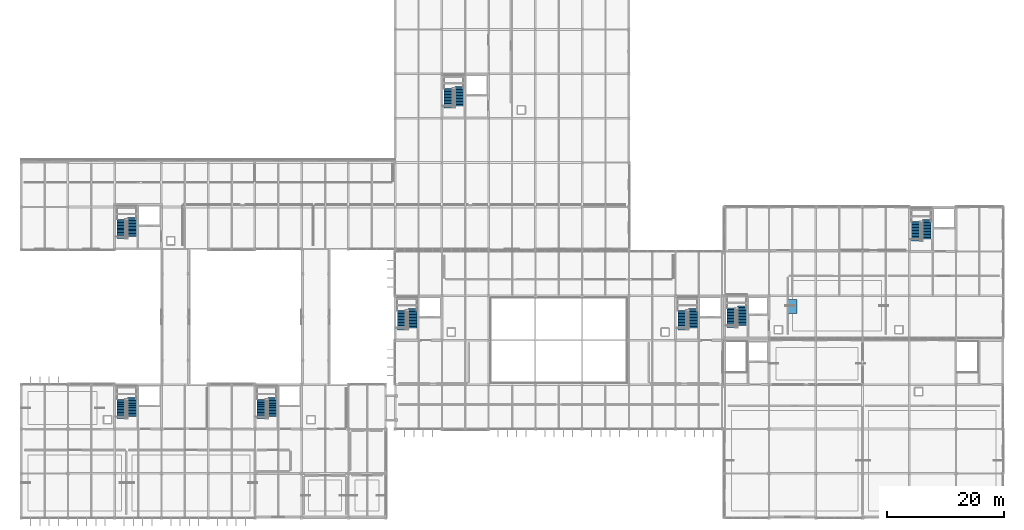
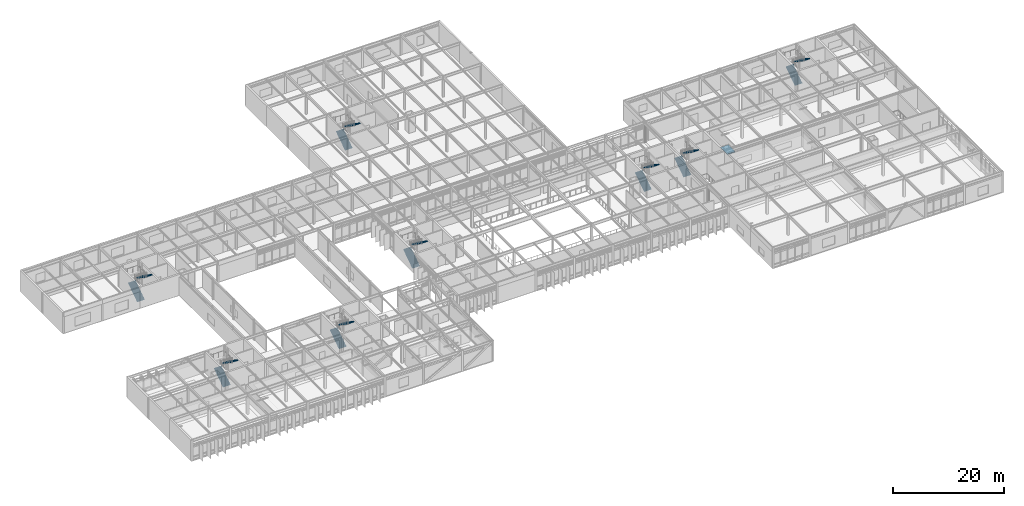
# One storey, part 90 of 104: 16 stair flights, 1 ramp flight, 9 elements without a shape of their own.
"""IFC4 building model written with IfcOpenShell, lengths in metres."""

from ifc_helpers import new_model, si_unit, direction, frame, origin, place, context, subcontext, project, spatial, polyline, outline, extrude, material, layer, layer_set, type_object, element, aggregate, save


model = new_model("IFC4")

# Units and contexts
model_context = context("Model", 3, precision=1e-05, world=origin(), true_north=direction((0.0, 1.0)))
body_context = subcontext(model_context, "Body", "Model", "MODEL_VIEW")
ifc_project = project(units=[si_unit("LENGTHUNIT", "METRE"), si_unit("AREAUNIT", "SQUARE_METRE"), si_unit("VOLUMEUNIT", "CUBIC_METRE"), si_unit("PLANEANGLEUNIT", "RADIAN"), si_unit("MASSUNIT", "GRAM", prefix="KILO")], contexts=[model_context])

# Site, building, storey
site_placement = place(None, origin())
site = spatial("IfcSite", under=ifc_project, at=site_placement, CompositionType="ELEMENT")
building_placement = place(site_placement, origin())
building = spatial("IfcBuilding", under=site, at=building_placement, Name="Zulena Civic Courthouse", CompositionType="ELEMENT")
storey_placement = place(building_placement, frame((0.0, 0.0, 15.60009765625)))
storey = spatial("IfcBuildingStorey", under=building, at=storey_placement, Name="L03", CompositionType="ELEMENT", Elevation=15.60009765625)

# Stair, stair flights
ifc_material_1 = material(Name="Precast concrete C40/50", Category="concrete")
stair_type = type_object("IfcStairType", Name="HalfTurnStair_4800", PredefinedType="HALF_TURN_STAIR", material=ifc_material_1)
stair_1_placement = place(storey_placement, origin())
stair_1 = element("IfcStair", 1, at=stair_1_placement, inside=storey, type_object=stair_type, Name="stair:K2A:L03", PredefinedType="HALF_TURN_STAIR")
stair_flight_type = type_object("IfcStairFlightType", Name="StairFlight_4800", PredefinedType="STRAIGHT", material=ifc_material_1)
stair_flight_1_placement = place(storey_placement, frame((21.1298828125, 16.97998046875, 0.0), z_axis=(0.0, 0.0, 1.0), x_axis=(0.0, 1.0, 0.0)))
stair_flight_1 = element("IfcStairFlight", 2, at=stair_flight_1_placement, type_object=stair_flight_type, Name="stair:K2A:L03:F1", NumberOfRisers=14, NumberOfTreads=13, PredefinedType="STRAIGHT", RiserHeight=0.17143, TreadLength=0.255, context=body_context, shape_type="SweptSolid", body=[
    extrude(outline(polyline([(0.0, 0.0), (0.0, 0.17138671875), (0.2548828125, 0.17138671875), (0.2548828125, 0.3427734375), (0.510009765625, 0.3427734375), (0.510009765625, 0.514404296875), (0.764892578125, 0.514404296875), (0.764892578125, 0.685791015625), (1.02001953125, 0.685791015625), (1.02001953125, 0.857177734375), (1.27490234375, 0.857177734375), (1.27490234375, 1.028564453125), (1.530029296875, 1.028564453125), (1.530029296875, 1.199951171875), (1.784912109375, 1.199951171875), (1.784912109375, 1.371337890625), (2.0400390625, 1.371337890625), (2.0400390625, 1.54296875), (2.294921875, 1.54296875), (2.294921875, 1.71435546875), (2.550048828125, 1.71435546875), (2.550048828125, 1.8857421875), (2.804931640625, 1.8857421875), (2.804931640625, 2.05712890625), (3.06005859375, 2.05712890625), (3.06005859375, 2.228515625), (3.31494140625, 2.228515625), (3.31494140625, 2.39990234375), (3.31494140625, 2.10205078125), (0.188232421875, 0.0), (0.0, 0.0)])), frame((0.0, 0.75, 0.0), z_axis=(0.0, -1.0, 0.0), x_axis=(1.0, 0.0, 0.0)), (0.0, 0.0, 1.0), 1.5),
])
stair_flight_2_placement = place(storey_placement, frame((22.969970703125, 20.634765625, 2.39990234375), z_axis=(0.0, 0.0, 1.0), x_axis=(0.0, -1.0, 0.0)))
stair_flight_2 = element("IfcStairFlight", 3, at=stair_flight_2_placement, type_object=stair_flight_type, Name="stair:K2A:L03:F2", NumberOfRisers=14, NumberOfTreads=13, PredefinedType="STRAIGHT", RiserHeight=0.17143, TreadLength=0.255, context=body_context, shape_type="SweptSolid", body=[
    extrude(outline(polyline([(0.0, 0.0), (0.0, 0.17138671875), (0.2548828125, 0.17138671875), (0.2548828125, 0.3427734375), (0.510009765625, 0.3427734375), (0.510009765625, 0.514404296875), (0.764892578125, 0.514404296875), (0.764892578125, 0.685791015625), (1.02001953125, 0.685791015625), (1.02001953125, 0.857177734375), (1.27490234375, 0.857177734375), (1.27490234375, 1.028564453125), (1.530029296875, 1.028564453125), (1.530029296875, 1.199951171875), (1.784912109375, 1.199951171875), (1.784912109375, 1.371337890625), (2.0400390625, 1.371337890625), (2.0400390625, 1.54296875), (2.294921875, 1.54296875), (2.294921875, 1.71435546875), (2.550048828125, 1.71435546875), (2.550048828125, 1.8857421875), (2.804931640625, 1.8857421875), (2.804931640625, 2.05712890625), (3.06005859375, 2.05712890625), (3.06005859375, 2.228515625), (3.31494140625, 2.228515625), (3.31494140625, 2.39990234375), (3.31494140625, 2.10205078125), (0.188232421875, 0.0), (0.0, 0.0)])), frame((0.0, 0.75, 0.0), z_axis=(0.0, -1.0, 0.0), x_axis=(1.0, 0.0, 0.0)), (0.0, 0.0, 1.0), 1.5),
])
aggregate(stair_1, [stair_flight_1, stair_flight_2])

stair_2_placement = place(storey_placement, origin())
stair_2 = element("IfcStair", 4, at=stair_2_placement, inside=storey, type_object=stair_type, Name="stair:K2B:L03", PredefinedType="HALF_TURN_STAIR")
stair_flight_3_placement = place(storey_placement, frame((45.1298828125, 16.97998046875, 0.0), z_axis=(0.0, 0.0, 1.0), x_axis=(0.0, 1.0, 0.0)))
stair_flight_3 = element("IfcStairFlight", 5, at=stair_flight_3_placement, type_object=stair_flight_type, Name="stair:K2B:L03:F1", NumberOfRisers=14, NumberOfTreads=13, PredefinedType="STRAIGHT", RiserHeight=0.17143, TreadLength=0.255, context=body_context, shape_type="SweptSolid", body=[
    extrude(outline(polyline([(0.0, 0.0), (0.0, 0.17138671875), (0.2548828125, 0.17138671875), (0.2548828125, 0.3427734375), (0.510009765625, 0.3427734375), (0.510009765625, 0.514404296875), (0.764892578125, 0.514404296875), (0.764892578125, 0.685791015625), (1.02001953125, 0.685791015625), (1.02001953125, 0.857177734375), (1.27490234375, 0.857177734375), (1.27490234375, 1.028564453125), (1.530029296875, 1.028564453125), (1.530029296875, 1.199951171875), (1.784912109375, 1.199951171875), (1.784912109375, 1.371337890625), (2.0400390625, 1.371337890625), (2.0400390625, 1.54296875), (2.294921875, 1.54296875), (2.294921875, 1.71435546875), (2.550048828125, 1.71435546875), (2.550048828125, 1.8857421875), (2.804931640625, 1.8857421875), (2.804931640625, 2.05712890625), (3.06005859375, 2.05712890625), (3.06005859375, 2.228515625), (3.31494140625, 2.228515625), (3.31494140625, 2.39990234375), (3.31494140625, 2.10205078125), (0.188232421875, 0.0), (0.0, 0.0)])), frame((0.0, 0.75, 0.0), z_axis=(0.0, -1.0, 0.0), x_axis=(1.0, 0.0, 0.0)), (0.0, 0.0, 1.0), 1.5),
])
stair_flight_4_placement = place(storey_placement, frame((46.969970703125, 20.634765625, 2.39990234375), z_axis=(0.0, 0.0, 1.0), x_axis=(0.0, -1.0, 0.0)))
stair_flight_4 = element("IfcStairFlight", 6, at=stair_flight_4_placement, type_object=stair_flight_type, Name="stair:K2B:L03:F2", NumberOfRisers=14, NumberOfTreads=13, PredefinedType="STRAIGHT", RiserHeight=0.17143, TreadLength=0.255, context=body_context, shape_type="SweptSolid", body=[
    extrude(outline(polyline([(0.0, 0.0), (0.0, 0.17138671875), (0.2548828125, 0.17138671875), (0.2548828125, 0.3427734375), (0.510009765625, 0.3427734375), (0.510009765625, 0.514404296875), (0.764892578125, 0.514404296875), (0.764892578125, 0.685791015625), (1.02001953125, 0.685791015625), (1.02001953125, 0.857177734375), (1.27490234375, 0.857177734375), (1.27490234375, 1.028564453125), (1.530029296875, 1.028564453125), (1.530029296875, 1.199951171875), (1.784912109375, 1.199951171875), (1.784912109375, 1.371337890625), (2.0400390625, 1.371337890625), (2.0400390625, 1.54296875), (2.294921875, 1.54296875), (2.294921875, 1.71435546875), (2.550048828125, 1.71435546875), (2.550048828125, 1.8857421875), (2.804931640625, 1.8857421875), (2.804931640625, 2.05712890625), (3.06005859375, 2.05712890625), (3.06005859375, 2.228515625), (3.31494140625, 2.228515625), (3.31494140625, 2.39990234375), (3.31494140625, 2.10205078125), (0.188232421875, 0.0), (0.0, 0.0)])), frame((0.0, 0.75, 0.0), z_axis=(0.0, -1.0, 0.0), x_axis=(1.0, 0.0, 0.0)), (0.0, 0.0, 1.0), 1.5),
])
aggregate(stair_2, [stair_flight_3, stair_flight_4])

stair_3_placement = place(storey_placement, origin())
stair_3 = element("IfcStair", 7, at=stair_3_placement, inside=storey, type_object=stair_type, Name="stair:K3A:L03", PredefinedType="HALF_TURN_STAIR")
stair_flight_5_placement = place(storey_placement, frame((125.530029296875, 32.580078125, 0.0), z_axis=(0.0, 0.0, 1.0), x_axis=(0.0, 1.0, 0.0)))
stair_flight_5 = element("IfcStairFlight", 8, at=stair_flight_5_placement, type_object=stair_flight_type, Name="stair:K3A:L03:F1", NumberOfRisers=14, NumberOfTreads=13, PredefinedType="STRAIGHT", RiserHeight=0.17143, TreadLength=0.255, context=body_context, shape_type="SweptSolid", body=[
    extrude(outline(polyline([(0.0, 0.0), (0.0, 0.17138671875), (0.2548828125, 0.17138671875), (0.2548828125, 0.3427734375), (0.510009765625, 0.3427734375), (0.510009765625, 0.514404296875), (0.764892578125, 0.514404296875), (0.764892578125, 0.685791015625), (1.02001953125, 0.685791015625), (1.02001953125, 0.857177734375), (1.27490234375, 0.857177734375), (1.27490234375, 1.028564453125), (1.530029296875, 1.028564453125), (1.530029296875, 1.199951171875), (1.784912109375, 1.199951171875), (1.784912109375, 1.371337890625), (2.0400390625, 1.371337890625), (2.0400390625, 1.54296875), (2.294921875, 1.54296875), (2.294921875, 1.71435546875), (2.550048828125, 1.71435546875), (2.550048828125, 1.8857421875), (2.804931640625, 1.8857421875), (2.804931640625, 2.05712890625), (3.06005859375, 2.05712890625), (3.06005859375, 2.228515625), (3.31494140625, 2.228515625), (3.31494140625, 2.39990234375), (3.31494140625, 2.10205078125), (0.188232421875, 0.0), (0.0, 0.0)])), frame((0.0, 0.75, 0.0), z_axis=(0.0, -1.0, 0.0), x_axis=(1.0, 0.0, 0.0)), (0.0, 0.0, 1.0), 1.5),
])
stair_flight_6_placement = place(storey_placement, frame((127.3701171875, 36.234619140625, 2.39990234375), z_axis=(0.0, 0.0, 1.0), x_axis=(0.0, -1.0, 0.0)))
stair_flight_6 = element("IfcStairFlight", 9, at=stair_flight_6_placement, type_object=stair_flight_type, Name="stair:K3A:L03:F2", NumberOfRisers=14, NumberOfTreads=13, PredefinedType="STRAIGHT", RiserHeight=0.17143, TreadLength=0.255, context=body_context, shape_type="SweptSolid", body=[
    extrude(outline(polyline([(0.0, 0.0), (0.0, 0.17138671875), (0.2548828125, 0.17138671875), (0.2548828125, 0.3427734375), (0.510009765625, 0.3427734375), (0.510009765625, 0.514404296875), (0.764892578125, 0.514404296875), (0.764892578125, 0.685791015625), (1.02001953125, 0.685791015625), (1.02001953125, 0.857177734375), (1.27490234375, 0.857177734375), (1.27490234375, 1.028564453125), (1.530029296875, 1.028564453125), (1.530029296875, 1.199951171875), (1.784912109375, 1.199951171875), (1.784912109375, 1.371337890625), (2.0400390625, 1.371337890625), (2.0400390625, 1.54296875), (2.294921875, 1.54296875), (2.294921875, 1.71435546875), (2.550048828125, 1.71435546875), (2.550048828125, 1.8857421875), (2.804931640625, 1.8857421875), (2.804931640625, 2.05712890625), (3.06005859375, 2.05712890625), (3.06005859375, 2.228515625), (3.31494140625, 2.228515625), (3.31494140625, 2.39990234375), (3.31494140625, 2.10205078125), (0.188232421875, 0.0), (0.0, 0.0)])), frame((0.0, 0.75, 0.0), z_axis=(0.0, -1.0, 0.0), x_axis=(1.0, 0.0, 0.0)), (0.0, 0.0, 1.0), 1.5),
])
aggregate(stair_3, [stair_flight_5, stair_flight_6])

stair_4_placement = place(storey_placement, origin())
stair_4 = element("IfcStair", 10, at=stair_4_placement, inside=storey, type_object=stair_type, Name="stair:K3B:L03", PredefinedType="HALF_TURN_STAIR")
stair_flight_7_placement = place(storey_placement, frame((157.1298828125, 47.3798828125, 0.0), z_axis=(0.0, 0.0, 1.0), x_axis=(0.0, 1.0, 0.0)))
stair_flight_7 = element("IfcStairFlight", 11, at=stair_flight_7_placement, type_object=stair_flight_type, Name="stair:K3B:L03:F1", NumberOfRisers=14, NumberOfTreads=13, PredefinedType="STRAIGHT", RiserHeight=0.17143, TreadLength=0.255, context=body_context, shape_type="SweptSolid", body=[
    extrude(outline(polyline([(0.0, 0.0), (0.0, 0.17138671875), (0.2548828125, 0.17138671875), (0.2548828125, 0.3427734375), (0.510009765625, 0.3427734375), (0.510009765625, 0.514404296875), (0.764892578125, 0.514404296875), (0.764892578125, 0.685791015625), (1.02001953125, 0.685791015625), (1.02001953125, 0.857177734375), (1.27490234375, 0.857177734375), (1.27490234375, 1.028564453125), (1.530029296875, 1.028564453125), (1.530029296875, 1.199951171875), (1.784912109375, 1.199951171875), (1.784912109375, 1.371337890625), (2.0400390625, 1.371337890625), (2.0400390625, 1.54296875), (2.294921875, 1.54296875), (2.294921875, 1.71435546875), (2.550048828125, 1.71435546875), (2.550048828125, 1.8857421875), (2.804931640625, 1.8857421875), (2.804931640625, 2.05712890625), (3.06005859375, 2.05712890625), (3.06005859375, 2.228515625), (3.31494140625, 2.228515625), (3.31494140625, 2.39990234375), (3.31494140625, 2.10205078125), (0.188232421875, 0.0), (0.0, 0.0)])), frame((0.0, 0.75, 0.0), z_axis=(0.0, -1.0, 0.0), x_axis=(1.0, 0.0, 0.0)), (0.0, 0.0, 1.0), 1.5),
])
stair_flight_8_placement = place(storey_placement, frame((158.969970703125, 51.03466796875, 2.39990234375), z_axis=(0.0, 0.0, 1.0), x_axis=(0.0, -1.0, 0.0)))
stair_flight_8 = element("IfcStairFlight", 12, at=stair_flight_8_placement, type_object=stair_flight_type, Name="stair:K3B:L03:F2", NumberOfRisers=14, NumberOfTreads=13, PredefinedType="STRAIGHT", RiserHeight=0.17143, TreadLength=0.255, context=body_context, shape_type="SweptSolid", body=[
    extrude(outline(polyline([(0.0, 0.0), (0.0, 0.17138671875), (0.2548828125, 0.17138671875), (0.2548828125, 0.3427734375), (0.510009765625, 0.3427734375), (0.510009765625, 0.514404296875), (0.764892578125, 0.514404296875), (0.764892578125, 0.685791015625), (1.02001953125, 0.685791015625), (1.02001953125, 0.857177734375), (1.27490234375, 0.857177734375), (1.27490234375, 1.028564453125), (1.530029296875, 1.028564453125), (1.530029296875, 1.199951171875), (1.784912109375, 1.199951171875), (1.784912109375, 1.371337890625), (2.0400390625, 1.371337890625), (2.0400390625, 1.54296875), (2.294921875, 1.54296875), (2.294921875, 1.71435546875), (2.550048828125, 1.71435546875), (2.550048828125, 1.8857421875), (2.804931640625, 1.8857421875), (2.804931640625, 2.05712890625), (3.06005859375, 2.05712890625), (3.06005859375, 2.228515625), (3.31494140625, 2.228515625), (3.31494140625, 2.39990234375), (3.31494140625, 2.10205078125), (0.188232421875, 0.0), (0.0, 0.0)])), frame((0.0, 0.75, 0.0), z_axis=(0.0, -1.0, 0.0), x_axis=(1.0, 0.0, 0.0)), (0.0, 0.0, 1.0), 1.5),
])
aggregate(stair_4, [stair_flight_7, stair_flight_8])

stair_5_placement = place(storey_placement, origin())
stair_5 = element("IfcStair", 13, at=stair_5_placement, inside=storey, type_object=stair_type, Name="stair:K4A:L03", PredefinedType="HALF_TURN_STAIR")
stair_flight_9_placement = place(storey_placement, frame((69.1298828125, 32.179931640625, 0.0), z_axis=(0.0, 0.0, 1.0), x_axis=(0.0, 1.0, 0.0)))
stair_flight_9 = element("IfcStairFlight", 14, at=stair_flight_9_placement, type_object=stair_flight_type, Name="stair:K4A:L03:F1", NumberOfRisers=14, NumberOfTreads=13, PredefinedType="STRAIGHT", RiserHeight=0.17143, TreadLength=0.255, context=body_context, shape_type="SweptSolid", body=[
    extrude(outline(polyline([(0.0, 0.0), (0.0, 0.17138671875), (0.2548828125, 0.17138671875), (0.2548828125, 0.3427734375), (0.510009765625, 0.3427734375), (0.510009765625, 0.514404296875), (0.764892578125, 0.514404296875), (0.764892578125, 0.685791015625), (1.02001953125, 0.685791015625), (1.02001953125, 0.857177734375), (1.27490234375, 0.857177734375), (1.27490234375, 1.028564453125), (1.530029296875, 1.028564453125), (1.530029296875, 1.199951171875), (1.784912109375, 1.199951171875), (1.784912109375, 1.371337890625), (2.0400390625, 1.371337890625), (2.0400390625, 1.54296875), (2.294921875, 1.54296875), (2.294921875, 1.71435546875), (2.550048828125, 1.71435546875), (2.550048828125, 1.8857421875), (2.804931640625, 1.8857421875), (2.804931640625, 2.05712890625), (3.06005859375, 2.05712890625), (3.06005859375, 2.228515625), (3.31494140625, 2.228515625), (3.31494140625, 2.39990234375), (3.31494140625, 2.10205078125), (0.188232421875, 0.0), (0.0, 0.0)])), frame((0.0, 0.75, 0.0), z_axis=(0.0, -1.0, 0.0), x_axis=(1.0, 0.0, 0.0)), (0.0, 0.0, 1.0), 1.5),
])
stair_flight_10_placement = place(storey_placement, frame((70.969970703125, 35.834716796875, 2.39990234375), z_axis=(0.0, 0.0, 1.0), x_axis=(0.0, -1.0, 0.0)))
stair_flight_10 = element("IfcStairFlight", 15, at=stair_flight_10_placement, type_object=stair_flight_type, Name="stair:K4A:L03:F2", NumberOfRisers=14, NumberOfTreads=13, PredefinedType="STRAIGHT", RiserHeight=0.17143, TreadLength=0.255, context=body_context, shape_type="SweptSolid", body=[
    extrude(outline(polyline([(0.0, 0.0), (0.0, 0.17138671875), (0.2548828125, 0.17138671875), (0.2548828125, 0.3427734375), (0.510009765625, 0.3427734375), (0.510009765625, 0.514404296875), (0.764892578125, 0.514404296875), (0.764892578125, 0.685791015625), (1.02001953125, 0.685791015625), (1.02001953125, 0.857177734375), (1.27490234375, 0.857177734375), (1.27490234375, 1.028564453125), (1.530029296875, 1.028564453125), (1.530029296875, 1.199951171875), (1.784912109375, 1.199951171875), (1.784912109375, 1.371337890625), (2.0400390625, 1.371337890625), (2.0400390625, 1.54296875), (2.294921875, 1.54296875), (2.294921875, 1.71435546875), (2.550048828125, 1.71435546875), (2.550048828125, 1.8857421875), (2.804931640625, 1.8857421875), (2.804931640625, 2.05712890625), (3.06005859375, 2.05712890625), (3.06005859375, 2.228515625), (3.31494140625, 2.228515625), (3.31494140625, 2.39990234375), (3.31494140625, 2.10205078125), (0.188232421875, 0.0), (0.0, 0.0)])), frame((0.0, 0.75, 0.0), z_axis=(0.0, -1.0, 0.0), x_axis=(1.0, 0.0, 0.0)), (0.0, 0.0, 1.0), 1.5),
])
aggregate(stair_5, [stair_flight_9, stair_flight_10])

stair_6_placement = place(storey_placement, origin())
stair_6 = element("IfcStair", 16, at=stair_6_placement, inside=storey, type_object=stair_type, Name="stair:K4B:L03", PredefinedType="HALF_TURN_STAIR")
stair_flight_11_placement = place(storey_placement, frame((117.1298828125, 32.179931640625, 0.0), z_axis=(0.0, 0.0, 1.0), x_axis=(0.0, 1.0, 0.0)))
stair_flight_11 = element("IfcStairFlight", 17, at=stair_flight_11_placement, type_object=stair_flight_type, Name="stair:K4B:L03:F1", NumberOfRisers=14, NumberOfTreads=13, PredefinedType="STRAIGHT", RiserHeight=0.17143, TreadLength=0.255, context=body_context, shape_type="SweptSolid", body=[
    extrude(outline(polyline([(0.0, 0.0), (0.0, 0.17138671875), (0.2548828125, 0.17138671875), (0.2548828125, 0.3427734375), (0.510009765625, 0.3427734375), (0.510009765625, 0.514404296875), (0.764892578125, 0.514404296875), (0.764892578125, 0.685791015625), (1.02001953125, 0.685791015625), (1.02001953125, 0.857177734375), (1.27490234375, 0.857177734375), (1.27490234375, 1.028564453125), (1.530029296875, 1.028564453125), (1.530029296875, 1.199951171875), (1.784912109375, 1.199951171875), (1.784912109375, 1.371337890625), (2.0400390625, 1.371337890625), (2.0400390625, 1.54296875), (2.294921875, 1.54296875), (2.294921875, 1.71435546875), (2.550048828125, 1.71435546875), (2.550048828125, 1.8857421875), (2.804931640625, 1.8857421875), (2.804931640625, 2.05712890625), (3.06005859375, 2.05712890625), (3.06005859375, 2.228515625), (3.31494140625, 2.228515625), (3.31494140625, 2.39990234375), (3.31494140625, 2.10205078125), (0.188232421875, 0.0), (0.0, 0.0)])), frame((0.0, 0.75, 0.0), z_axis=(0.0, -1.0, 0.0), x_axis=(1.0, 0.0, 0.0)), (0.0, 0.0, 1.0), 1.5),
])
stair_flight_12_placement = place(storey_placement, frame((118.969970703125, 35.834716796875, 2.39990234375), z_axis=(0.0, 0.0, 1.0), x_axis=(0.0, -1.0, 0.0)))
stair_flight_12 = element("IfcStairFlight", 18, at=stair_flight_12_placement, type_object=stair_flight_type, Name="stair:K4B:L03:F2", NumberOfRisers=14, NumberOfTreads=13, PredefinedType="STRAIGHT", RiserHeight=0.17143, TreadLength=0.255, context=body_context, shape_type="SweptSolid", body=[
    extrude(outline(polyline([(0.0, 0.0), (0.0, 0.17138671875), (0.2548828125, 0.17138671875), (0.2548828125, 0.3427734375), (0.510009765625, 0.3427734375), (0.510009765625, 0.514404296875), (0.764892578125, 0.514404296875), (0.764892578125, 0.685791015625), (1.02001953125, 0.685791015625), (1.02001953125, 0.857177734375), (1.27490234375, 0.857177734375), (1.27490234375, 1.028564453125), (1.530029296875, 1.028564453125), (1.530029296875, 1.199951171875), (1.784912109375, 1.199951171875), (1.784912109375, 1.371337890625), (2.0400390625, 1.371337890625), (2.0400390625, 1.54296875), (2.294921875, 1.54296875), (2.294921875, 1.71435546875), (2.550048828125, 1.71435546875), (2.550048828125, 1.8857421875), (2.804931640625, 1.8857421875), (2.804931640625, 2.05712890625), (3.06005859375, 2.05712890625), (3.06005859375, 2.228515625), (3.31494140625, 2.228515625), (3.31494140625, 2.39990234375), (3.31494140625, 2.10205078125), (0.188232421875, 0.0), (0.0, 0.0)])), frame((0.0, 0.75, 0.0), z_axis=(0.0, -1.0, 0.0), x_axis=(1.0, 0.0, 0.0)), (0.0, 0.0, 1.0), 1.5),
])
aggregate(stair_6, [stair_flight_11, stair_flight_12])

stair_7_placement = place(storey_placement, origin())
stair_7 = element("IfcStair", 19, at=stair_7_placement, inside=storey, type_object=stair_type, Name="stair:K5A:L03", PredefinedType="HALF_TURN_STAIR")
stair_flight_13_placement = place(storey_placement, frame((21.1298828125, 47.780029296875, 0.0), z_axis=(0.0, 0.0, 1.0), x_axis=(0.0, 1.0, 0.0)))
stair_flight_13 = element("IfcStairFlight", 20, at=stair_flight_13_placement, type_object=stair_flight_type, Name="stair:K5A:L03:F1", NumberOfRisers=14, NumberOfTreads=13, PredefinedType="STRAIGHT", RiserHeight=0.17143, TreadLength=0.255, context=body_context, shape_type="SweptSolid", body=[
    extrude(outline(polyline([(0.0, 0.0), (0.0, 0.17138671875), (0.2548828125, 0.17138671875), (0.2548828125, 0.3427734375), (0.510009765625, 0.3427734375), (0.510009765625, 0.514404296875), (0.764892578125, 0.514404296875), (0.764892578125, 0.685791015625), (1.02001953125, 0.685791015625), (1.02001953125, 0.857177734375), (1.27490234375, 0.857177734375), (1.27490234375, 1.028564453125), (1.530029296875, 1.028564453125), (1.530029296875, 1.199951171875), (1.784912109375, 1.199951171875), (1.784912109375, 1.371337890625), (2.0400390625, 1.371337890625), (2.0400390625, 1.54296875), (2.294921875, 1.54296875), (2.294921875, 1.71435546875), (2.550048828125, 1.71435546875), (2.550048828125, 1.8857421875), (2.804931640625, 1.8857421875), (2.804931640625, 2.05712890625), (3.06005859375, 2.05712890625), (3.06005859375, 2.228515625), (3.31494140625, 2.228515625), (3.31494140625, 2.39990234375), (3.31494140625, 2.10205078125), (0.188232421875, 0.0), (0.0, 0.0)])), frame((0.0, 0.75, 0.0), z_axis=(0.0, -1.0, 0.0), x_axis=(1.0, 0.0, 0.0)), (0.0, 0.0, 1.0), 1.5),
])
stair_flight_14_placement = place(storey_placement, frame((22.969970703125, 51.434814453125, 2.39990234375), z_axis=(0.0, 0.0, 1.0), x_axis=(0.0, -1.0, 0.0)))
stair_flight_14 = element("IfcStairFlight", 21, at=stair_flight_14_placement, type_object=stair_flight_type, Name="stair:K5A:L03:F2", NumberOfRisers=14, NumberOfTreads=13, PredefinedType="STRAIGHT", RiserHeight=0.17143, TreadLength=0.255, context=body_context, shape_type="SweptSolid", body=[
    extrude(outline(polyline([(0.0, 0.0), (0.0, 0.17138671875), (0.2548828125, 0.17138671875), (0.2548828125, 0.3427734375), (0.510009765625, 0.3427734375), (0.510009765625, 0.514404296875), (0.764892578125, 0.514404296875), (0.764892578125, 0.685791015625), (1.02001953125, 0.685791015625), (1.02001953125, 0.857177734375), (1.27490234375, 0.857177734375), (1.27490234375, 1.028564453125), (1.530029296875, 1.028564453125), (1.530029296875, 1.199951171875), (1.784912109375, 1.199951171875), (1.784912109375, 1.371337890625), (2.0400390625, 1.371337890625), (2.0400390625, 1.54296875), (2.294921875, 1.54296875), (2.294921875, 1.71435546875), (2.550048828125, 1.71435546875), (2.550048828125, 1.8857421875), (2.804931640625, 1.8857421875), (2.804931640625, 2.05712890625), (3.06005859375, 2.05712890625), (3.06005859375, 2.228515625), (3.31494140625, 2.228515625), (3.31494140625, 2.39990234375), (3.31494140625, 2.10205078125), (0.188232421875, 0.0), (0.0, 0.0)])), frame((0.0, 0.75, 0.0), z_axis=(0.0, -1.0, 0.0), x_axis=(1.0, 0.0, 0.0)), (0.0, 0.0, 1.0), 1.5),
])
aggregate(stair_7, [stair_flight_13, stair_flight_14])

stair_8_placement = place(storey_placement, origin())
stair_8 = element("IfcStair", 22, at=stair_8_placement, inside=storey, type_object=stair_type, Name="stair:K5B:L03", PredefinedType="HALF_TURN_STAIR")
stair_flight_15_placement = place(storey_placement, frame((77.1298828125, 70.179931640625, 0.0), z_axis=(0.0, 0.0, 1.0), x_axis=(0.0, 1.0, 0.0)))
stair_flight_15 = element("IfcStairFlight", 23, at=stair_flight_15_placement, type_object=stair_flight_type, Name="stair:K5B:L03:F1", NumberOfRisers=14, NumberOfTreads=13, PredefinedType="STRAIGHT", RiserHeight=0.17143, TreadLength=0.255, context=body_context, shape_type="SweptSolid", body=[
    extrude(outline(polyline([(0.0, 0.0), (0.0, 0.17138671875), (0.2548828125, 0.17138671875), (0.2548828125, 0.3427734375), (0.510009765625, 0.3427734375), (0.510009765625, 0.514404296875), (0.764892578125, 0.514404296875), (0.764892578125, 0.685791015625), (1.02001953125, 0.685791015625), (1.02001953125, 0.857177734375), (1.27490234375, 0.857177734375), (1.27490234375, 1.028564453125), (1.530029296875, 1.028564453125), (1.530029296875, 1.199951171875), (1.784912109375, 1.199951171875), (1.784912109375, 1.371337890625), (2.0400390625, 1.371337890625), (2.0400390625, 1.54296875), (2.294921875, 1.54296875), (2.294921875, 1.71435546875), (2.550048828125, 1.71435546875), (2.550048828125, 1.8857421875), (2.804931640625, 1.8857421875), (2.804931640625, 2.05712890625), (3.06005859375, 2.05712890625), (3.06005859375, 2.228515625), (3.31494140625, 2.228515625), (3.31494140625, 2.39990234375), (3.31494140625, 2.10205078125), (0.188232421875, 0.0), (0.0, 0.0)])), frame((0.0, 0.75, 0.0), z_axis=(0.0, -1.0, 0.0), x_axis=(1.0, 0.0, 0.0)), (0.0, 0.0, 1.0), 1.5),
])
stair_flight_16_placement = place(storey_placement, frame((78.969970703125, 73.834716796875, 2.39990234375), z_axis=(0.0, 0.0, 1.0), x_axis=(0.0, -1.0, 0.0)))
stair_flight_16 = element("IfcStairFlight", 24, at=stair_flight_16_placement, type_object=stair_flight_type, Name="stair:K5B:L03:F2", NumberOfRisers=14, NumberOfTreads=13, PredefinedType="STRAIGHT", RiserHeight=0.17143, TreadLength=0.255, context=body_context, shape_type="SweptSolid", body=[
    extrude(outline(polyline([(0.0, 0.0), (0.0, 0.17138671875), (0.2548828125, 0.17138671875), (0.2548828125, 0.3427734375), (0.510009765625, 0.3427734375), (0.510009765625, 0.514404296875), (0.764892578125, 0.514404296875), (0.764892578125, 0.685791015625), (1.02001953125, 0.685791015625), (1.02001953125, 0.857177734375), (1.27490234375, 0.857177734375), (1.27490234375, 1.028564453125), (1.530029296875, 1.028564453125), (1.530029296875, 1.199951171875), (1.784912109375, 1.199951171875), (1.784912109375, 1.371337890625), (2.0400390625, 1.371337890625), (2.0400390625, 1.54296875), (2.294921875, 1.54296875), (2.294921875, 1.71435546875), (2.550048828125, 1.71435546875), (2.550048828125, 1.8857421875), (2.804931640625, 1.8857421875), (2.804931640625, 2.05712890625), (3.06005859375, 2.05712890625), (3.06005859375, 2.228515625), (3.31494140625, 2.228515625), (3.31494140625, 2.39990234375), (3.31494140625, 2.10205078125), (0.188232421875, 0.0), (0.0, 0.0)])), frame((0.0, 0.75, 0.0), z_axis=(0.0, -1.0, 0.0), x_axis=(1.0, 0.0, 0.0)), (0.0, 0.0, 1.0), 1.5),
])
aggregate(stair_8, [stair_flight_15, stair_flight_16])

# Ramp, ramp flight
ifc_material_2 = material(Name="Concrete C35/45", Category="concrete")
ramp_type = type_object("IfcRampType", Name="AccessibleRamp_1600", PredefinedType="STRAIGHT_RUN_RAMP", material=ifc_material_2)
ramp_placement = place(storey_placement, origin())
ramp = element("IfcRamp", 25, at=ramp_placement, inside=storey, type_object=ramp_type, Name="ramp:acc:5", PredefinedType="STRAIGHT_RUN_RAMP")
ifc_layer = layer(ifc_material_2, 0.179931640625)
ifc_layer_set = layer_set([ifc_layer], Name="Concrete C35/45")
ramp_flight_type = type_object("IfcRampFlightType", Name="AccessibleRampFlight_1600", PredefinedType="STRAIGHT", material=ifc_layer_set)
ramp_flight_placement = place(storey_placement, frame((136.0, 35.0, 0.0), z_axis=(0.0, 0.0, 1.0), x_axis=(0.0, 1.0, 0.0)))
ramp_flight = element("IfcRampFlight", 26, at=ramp_flight_placement, type_object=ramp_flight_type, Name="ramp:acc:5:FL1", PredefinedType="STRAIGHT", context=body_context, shape_type="SweptSolid", body=[
    extrude(outline(polyline([(0.0, 0.0), (2.39990234375, 0.0), (2.39990234375, -0.179931640625), (0.0, -0.179931640625), (0.0, 0.0)])), frame((0.0, 0.800048828125, 0.0), z_axis=(0.0, -1.0, 0.0), x_axis=(1.0, 0.0, 0.0)), (0.0, 0.0, 1.0), 1.60009765625),
])
aggregate(ramp, [ramp_flight])

save(model, "model.ifc")
